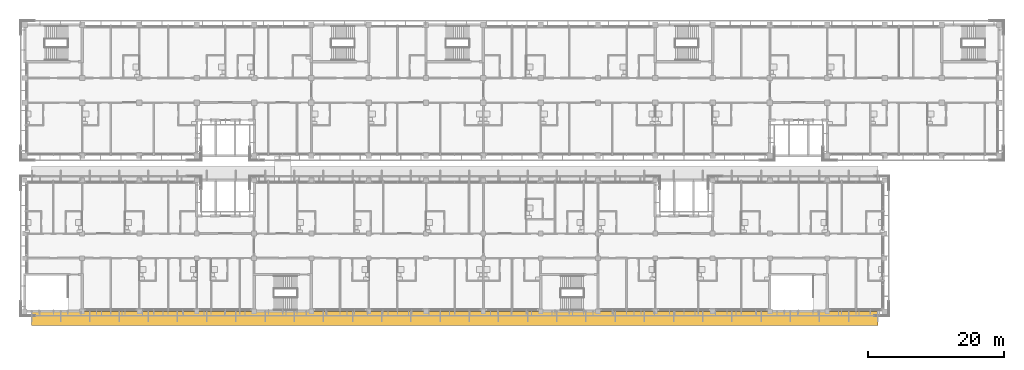
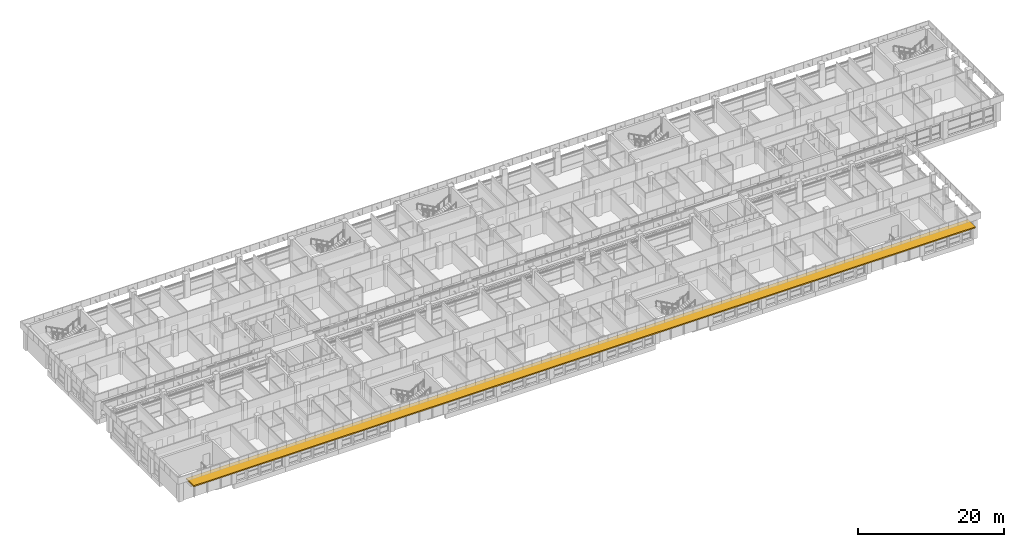
# One storey, part 62 of 71: 1 shading device.
"""IFC4 building model written with IfcOpenShell, lengths in metres."""

from ifc_helpers import new_model, si_unit, direction, frame, origin, place, context, subcontext, project, spatial, polyline, outline, extrude, material, layer, layer_set, type_object, element, save


model = new_model("IFC4")

# Units and contexts
model_context = context("Model", 3, precision=1e-05, world=origin(), true_north=direction((0.0, 1.0)))
body_context = subcontext(model_context, "Body", "Model", "MODEL_VIEW")
ifc_project = project(units=[si_unit("LENGTHUNIT", "METRE"), si_unit("AREAUNIT", "SQUARE_METRE"), si_unit("VOLUMEUNIT", "CUBIC_METRE"), si_unit("PLANEANGLEUNIT", "RADIAN"), si_unit("MASSUNIT", "GRAM", prefix="KILO")], contexts=[model_context])

# Site, building, storey
site_placement = place(None, origin())
site = spatial("IfcSite", under=ifc_project, at=site_placement, CompositionType="ELEMENT")
building_placement = place(site_placement, origin())
building = spatial("IfcBuilding", under=site, at=building_placement, Name="Bougainvillea Quay General Hospital", CompositionType="ELEMENT")
storey_placement = place(building_placement, frame((0.0, 0.0, 24.89990234375)))
storey = spatial("IfcBuildingStorey", under=building, at=storey_placement, Name="L05", CompositionType="ELEMENT", Elevation=24.89990234375)

# Shading device
ifc_material = material(Name="Powder-coated aluminium canopy soffit and fascia, white", Category="aluminium")
ifc_layer = layer(ifc_material, 0.199951171875)
ifc_layer_set = layer_set([ifc_layer], Name="Powder-coated aluminium canopy soffit and fascia, white")
shading_device_type = type_object("IfcShadingDeviceType", Name="Deep eave canopy 200", PredefinedType="AWNING", material=ifc_layer_set)
shading_device_placement = place(storey_placement, frame((0.0, 0.0, 3.2001953125)))
element("IfcShadingDevice", 1, at=shading_device_placement, inside=storey, type_object=shading_device_type, Name="Deep eave canopy S", PredefinedType="AWNING", context=body_context, shape_type="SweptSolid", body=[
    extrude(outline(polyline([(43.0, 117.60009765625), (167.0, 117.60009765625), (167.0, 115.5), (43.0, 115.5), (43.0, 117.60009765625)])), origin(), (0.0, 0.0, 1.0), 0.199951171875),
])

save(model, "model.ifc")
